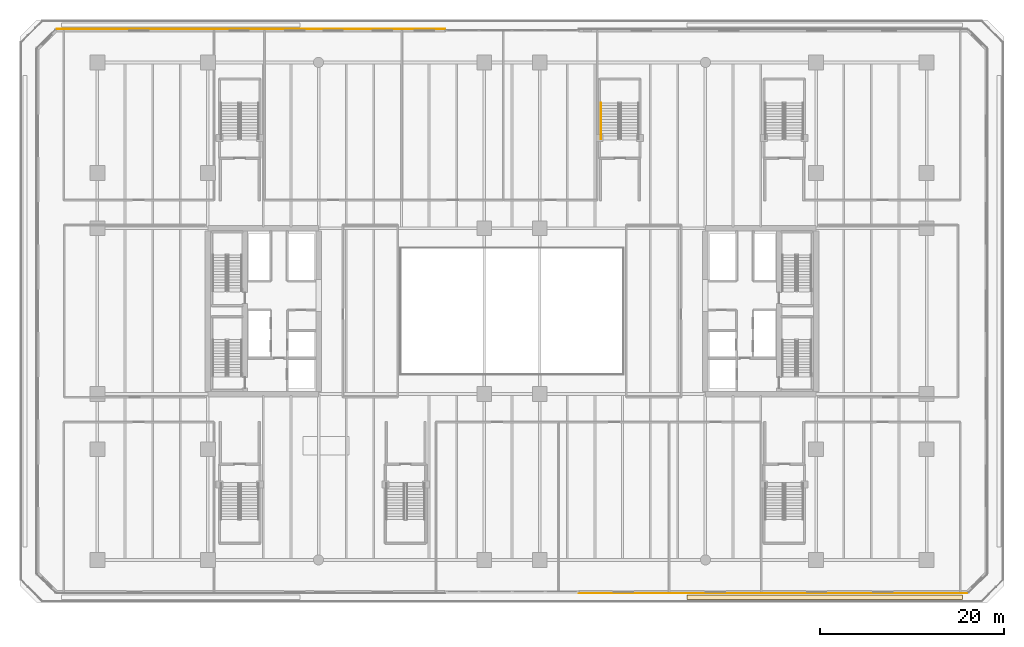
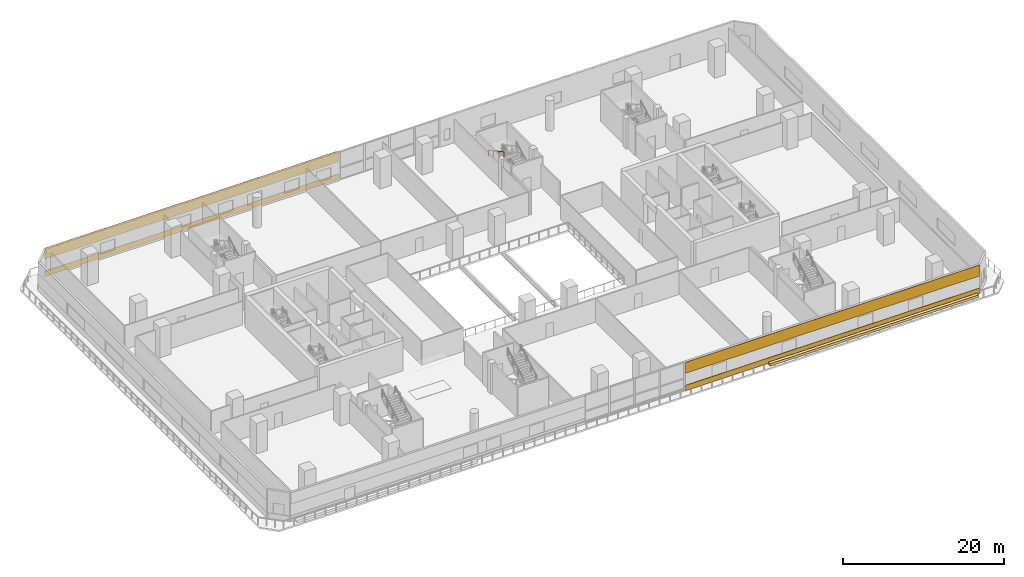
# One storey, part 22 of 27: 5 coverings, 1 railing.
"""IFC4 building model written with IfcOpenShell, lengths in metres."""

from ifc_helpers import new_model, si_unit, direction, frame, origin, origin_2d, place, context, subcontext, project, spatial, polyline, rectangle, outline, extrude, material, layer, layer_set, type_object, element, save


model = new_model("IFC4")

# Units and contexts
model_context = context("Model", 3, precision=1e-05, world=origin(), true_north=direction((0.0, 1.0)))
body_context = subcontext(model_context, "Body", "Model", "MODEL_VIEW")
ifc_project = project(units=[si_unit("LENGTHUNIT", "METRE"), si_unit("AREAUNIT", "SQUARE_METRE"), si_unit("VOLUMEUNIT", "CUBIC_METRE"), si_unit("PLANEANGLEUNIT", "RADIAN"), si_unit("MASSUNIT", "GRAM", prefix="KILO")], contexts=[model_context])

# Site, building, storey
site_placement = place(None, origin())
site = spatial("IfcSite", under=ifc_project, at=site_placement, CompositionType="ELEMENT")
building_placement = place(site_placement, origin())
building = spatial("IfcBuilding", under=site, at=building_placement, Name="Tanjung Sevakor Pilgrim Tower", CompositionType="ELEMENT")
storey_placement = place(building_placement, frame((0.0, 0.0, 14.85009765625)))
storey = spatial("IfcBuildingStorey", under=building, at=storey_placement, Name="L04", CompositionType="ELEMENT", Elevation=14.85009765625)

# Coverings
ifc_material_1 = material(Name="Reconstructed Limestone Cladding", Category="masonry")
ifc_layer_1 = layer(ifc_material_1, 0.044921875)
ifc_layer_set_1 = layer_set([ifc_layer_1], Name="COV-CLAD-LIMESTONE")
covering_type_1 = type_object("IfcCoveringType", Name="COV-CLAD-LIMESTONE", PredefinedType="CLADDING", material=ifc_layer_set_1)
covering_1_placement = place(storey_placement, frame((85.321044921875, 2.9775390625, 0.009765625), z_axis=(0.0, 0.0, 1.0), x_axis=(1.0, 0.0, 0.0)))
element("IfcCovering", 1, at=covering_1_placement, inside=storey, type_object=covering_type_1, Name="L04 Warm Limestone Sill Spandrel EW-L04-S2-1", PredefinedType="CLADDING", context=body_context, shape_type="SweptSolid", body=[
    extrude(rectangle(XDim=42.162109375, YDim=0.044921875, at=origin_2d()), origin(), (0.0, 0.0, 1.0), 0.840087890625),
])
covering_2_placement = place(storey_placement, frame((85.321044921875, 2.9775390625, 2.659912109375), z_axis=(0.0, 0.0, 1.0), x_axis=(1.0, 0.0, 0.0)))
element("IfcCovering", 2, at=covering_2_placement, inside=storey, type_object=covering_type_1, Name="L04 Warm Limestone Cornice Spandrel EW-L04-S2", PredefinedType="CLADDING", context=body_context, shape_type="SweptSolid", body=[
    extrude(rectangle(XDim=42.201904296875, YDim=0.044921875, at=origin_2d()), origin(), (0.0, 0.0, 1.0), 1.669921875),
])
covering_3_placement = place(storey_placement, frame((28.678955078125, 64.222412109375, 0.009765625), z_axis=(0.0, 0.0, 1.0), x_axis=(-1.0, 0.0, 0.0)))
element("IfcCovering", 3, at=covering_3_placement, inside=storey, type_object=covering_type_1, Name="L04 Warm Limestone Sill Spandrel EW-L04-N2-1", PredefinedType="CLADDING", context=body_context, shape_type="SweptSolid", body=[
    extrude(rectangle(XDim=42.162109375, YDim=0.044921875, at=origin_2d()), origin(), (0.0, 0.0, 1.0), 0.840087890625),
])
covering_4_placement = place(storey_placement, frame((28.678955078125, 64.222412109375, 2.659912109375), z_axis=(0.0, 0.0, 1.0), x_axis=(-1.0, 0.0, 0.0)))
element("IfcCovering", 4, at=covering_4_placement, inside=storey, type_object=covering_type_1, Name="L04 Warm Limestone Cornice Spandrel EW-L04-N2", PredefinedType="CLADDING", context=body_context, shape_type="SweptSolid", body=[
    extrude(rectangle(XDim=42.201904296875, YDim=0.044921875, at=origin_2d()), origin(), (0.0, 0.0, 1.0), 1.669921875),
])
ifc_material_2 = material(Name="Vegetated Modular Planter Assembly", Category="organic")
ifc_layer_2 = layer(ifc_material_2, 0.35009765625)
ifc_layer_set_2 = layer_set([ifc_layer_2], Name="COV-GRN-TROUGH")
covering_type_2 = type_object("IfcCoveringType", Name="COV-GRN-TROUGH", PredefinedType="CLADDING", material=ifc_layer_set_2)
covering_5_placement = place(storey_placement, origin())
element("IfcCovering", 5, at=covering_5_placement, inside=storey, type_object=covering_type_2, Name="L04 Planted Landscape Hedge Trough PGRN-L04-SE", PredefinedType="CLADDING", context=body_context, shape_type="SweptSolid", body=[
    extrude(outline(polyline([(76.0, 2.330078125), (105.89990234375, 2.330078125), (105.89990234375, 2.77001953125), (76.0, 2.77001953125), (76.0, 2.330078125)])), origin(), (0.0, 0.0, 1.0), 0.349853515625),
])

# Railing
ifc_material_3 = material(Name="Steel S355J2", Category="steel")
railing_type = type_object("IfcRailingType", Name="RL-STAIR-HAND", PredefinedType="HANDRAIL", material=ifc_material_3)
railing_placement = place(storey_placement, frame((66.64990234375, 56.199951171875, 2.474853515625)))
element("IfcRailing", 6, at=railing_placement, inside=storey, type_object=railing_type, Name="L04 PS-4 stair handrail 2", PredefinedType="HANDRAIL", context=body_context, shape_type="SweptSolid", body=[
    extrude(rectangle(XDim=0.0479, YDim=0.0479), frame((0.0, 0.0, 0.8759765625), z_axis=(0.0, -0.876208959939, 0.481931383625), x_axis=(1.0, 0.0, 0.0)), (0.0, 0.0, 1.0), 4.450927734375),
    extrude(rectangle(XDim=0.042, YDim=0.042), origin(), (0.0, 0.0, 1.0), 0.851806640625),
    extrude(rectangle(XDim=0.042, YDim=0.042), frame((0.0, -1.300048828125, 0.715087890625)), (0.0, 0.0, 1.0), 0.851806640625),
    extrude(rectangle(XDim=0.042, YDim=0.042), frame((0.0, -2.599853515625, 1.429931640625)), (0.0, 0.0, 1.0), 0.851806640625),
    extrude(rectangle(XDim=0.042, YDim=0.042), frame((0.0, -3.89990234375, 2.14501953125)), (0.0, 0.0, 1.0), 0.851806640625),
])

save(model, "model.ifc")
